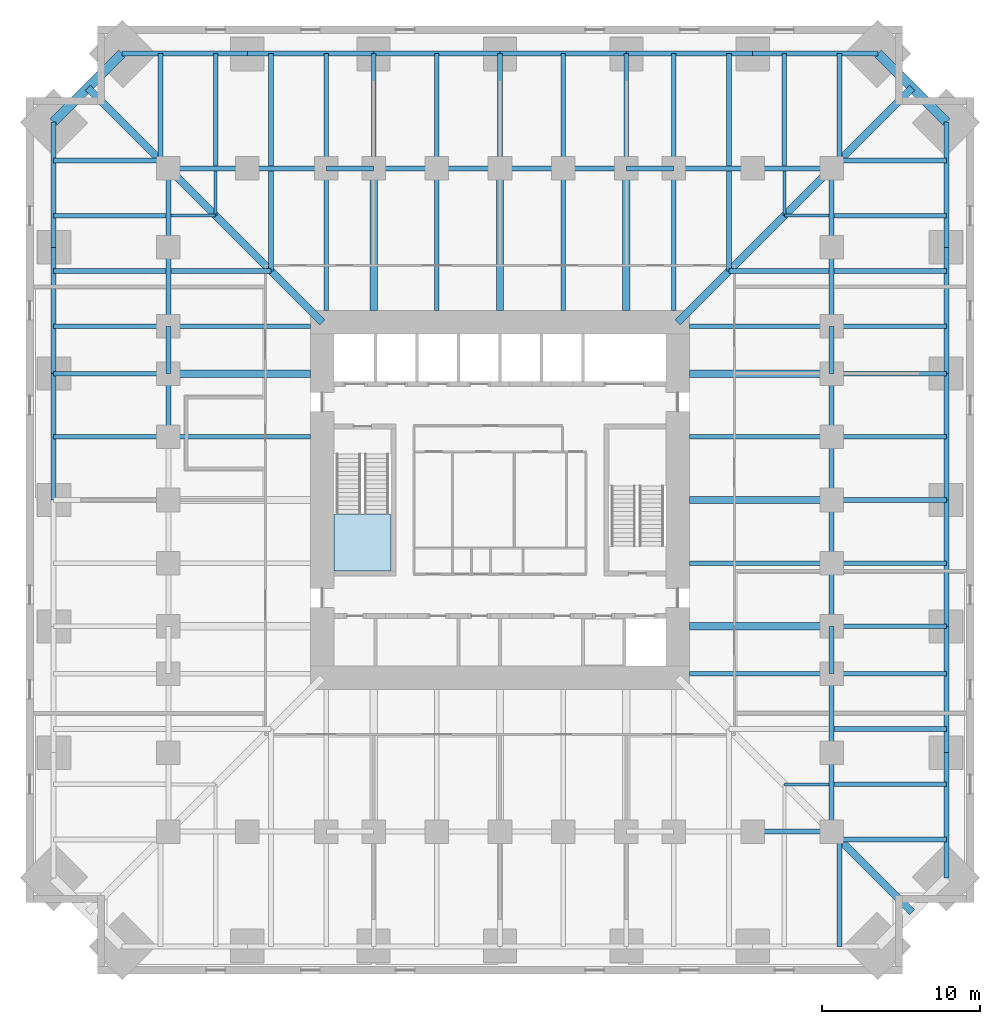
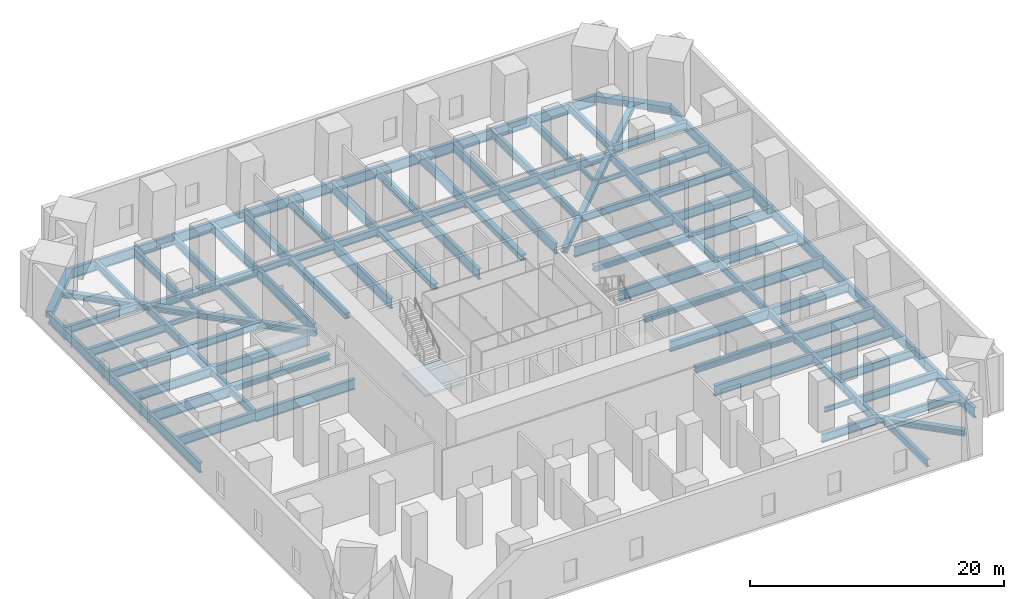
# One storey, part 2 of 8: 106 beams, 1 slab, 1 element without a shape of its own.
"""IFC4 building model written with IfcOpenShell, lengths in metres."""

from ifc_helpers import new_model, si_unit, direction, frame, origin, origin_2d, place, context, subcontext, project, spatial, polyline, hollow_rectangle, i_section, outline, extrude, material, layer, layer_set, material_profile, profile_set, type_object, element, aggregate, save


model = new_model("IFC4")

# Units and contexts
model_context = context("Model", 3, precision=1e-05, world=origin(), true_north=direction((0.0, 1.0)))
body_context = subcontext(model_context, "Body", "Model", "MODEL_VIEW")
ifc_project = project(units=[si_unit("LENGTHUNIT", "METRE"), si_unit("AREAUNIT", "SQUARE_METRE"), si_unit("VOLUMEUNIT", "CUBIC_METRE"), si_unit("PLANEANGLEUNIT", "RADIAN"), si_unit("MASSUNIT", "GRAM", prefix="KILO")], contexts=[model_context])

# Site, building, storey
site_placement = place(None, origin())
site = spatial("IfcSite", under=ifc_project, at=site_placement, CompositionType="ELEMENT")
building_placement = place(site_placement, origin())
building = spatial("IfcBuilding", under=site, at=building_placement, Name="Peilmerk Tower", CompositionType="ELEMENT")
storey_placement = place(building_placement, frame((0.0, 0.0, 65.0)))
storey = spatial("IfcBuildingStorey", under=building, at=storey_placement, Name="L12", CompositionType="ELEMENT", Elevation=65.0)

# Beams
ifc_material_1 = material(Name="Steel S355", Category="steel")
ifc_material_profile_1 = material_profile(ifc_material_1, i_section(OverallWidth=0.300048828125, OverallDepth=1.0, WebThickness=0.01904296875, FlangeThickness=0.035888671875, at=origin_2d()), Name="HEB 1000")
ifc_profile_set_1 = profile_set([ifc_material_profile_1], Name="Steel S355")
beam_type_1 = type_object("IfcBeamType", Name="B13 HEB 1000 edge beam", PredefinedType="SPANDREL", material=ifc_profile_set_1)
beam_1_placement = place(storey_placement, frame((23.92578125, 28.27587890625, -0.699951171875), z_axis=(-1.0, 0.0, 0.0), x_axis=(0.0, -1.0, 0.0)))
element("IfcBeam", 1, at=beam_1_placement, inside=storey, type_object=beam_type_1, Name="Edge beam L12", PredefinedType="SPANDREL", context=body_context, shape_type="SweptSolid", body=[
    extrude(i_section(OverallWidth=0.300048828125, OverallDepth=1.0, WebThickness=0.01904296875, FlangeThickness=0.035888671875, at=origin_2d()), origin(), (0.0, 0.0, 1.0), 7.92578125),
])
for number, where, z_axis, x_axis, name in (
    (2, (16.0, 28.27587890625, -0.699951171875), (-1.0, 0.0, 0.0), (0.0, -1.0, 0.0), "Edge beam L12"),
    (3, (8.0, 28.27587890625, -0.699951171875), (-1.0, 0.0, 0.0), (0.0, -1.0, 0.0), "Edge beam L12"),
    (4, (0.0, 28.27587890625, -0.699951171875), (-1.0, 0.0, 0.0), (0.0, -1.0, 0.0), "Edge beam L12"),
    (5, (-8.0, 28.27587890625, -0.699951171875), (-1.0, 0.0, 0.0), (0.0, -1.0, 0.0), "Edge beam L12"),
):
    element("IfcBeam", number, at=place(storey_placement, frame(where, z_axis=z_axis, x_axis=x_axis)), inside=storey, type_object=beam_type_1, Name=name, PredefinedType="SPANDREL", context=body_context, shape_type="SweptSolid", body=[
        extrude(i_section(OverallWidth=0.300048828125, OverallDepth=1.0, WebThickness=0.01904296875, FlangeThickness=0.035888671875, at=origin_2d()), origin(), (0.0, 0.0, 1.0), 8.0),
    ])
for number, where, z_axis, x_axis, name in (
    (6, (-16.0, 28.27587890625, -0.699951171875), (-1.0, 0.0, 0.0), (0.0, -1.0, 0.0), "Edge beam L12"),
    (7, (28.27587890625, -23.92578125, -0.699951171875), (0.0, 1.0, 0.0), (-1.0, 0.0, 0.0), "Edge beam L12"),
):
    element("IfcBeam", number, at=place(storey_placement, frame(where, z_axis=z_axis, x_axis=x_axis)), inside=storey, type_object=beam_type_1, Name=name, PredefinedType="SPANDREL", context=body_context, shape_type="SweptSolid", body=[
        extrude(i_section(OverallWidth=0.300048828125, OverallDepth=1.0, WebThickness=0.01904296875, FlangeThickness=0.035888671875, at=origin_2d()), origin(), (0.0, 0.0, 1.0), 7.92578125),
    ])
for number, where, z_axis, x_axis, name in (
    (8, (28.27587890625, -16.0, -0.699951171875), (0.0, 1.0, 0.0), (-1.0, 0.0, 0.0), "Edge beam L12"),
    (9, (28.27587890625, -8.0, -0.699951171875), (0.0, 1.0, 0.0), (-1.0, 0.0, 0.0), "Edge beam L12"),
    (10, (28.27587890625, 0.0, -0.699951171875), (0.0, 1.0, 0.0), (-1.0, 0.0, 0.0), "Edge beam L12"),
    (11, (28.27587890625, 8.0, -0.699951171875), (0.0, 1.0, 0.0), (-1.0, 0.0, 0.0), "Edge beam L12"),
):
    element("IfcBeam", number, at=place(storey_placement, frame(where, z_axis=z_axis, x_axis=x_axis)), inside=storey, type_object=beam_type_1, Name=name, PredefinedType="SPANDREL", context=body_context, shape_type="SweptSolid", body=[
        extrude(i_section(OverallWidth=0.300048828125, OverallDepth=1.0, WebThickness=0.01904296875, FlangeThickness=0.035888671875, at=origin_2d()), origin(), (0.0, 0.0, 1.0), 8.0),
    ])
for number, where, z_axis, x_axis, name in (
    (12, (28.27587890625, 16.0, -0.699951171875), (0.0, 1.0, 0.0), (-1.0, 0.0, 0.0), "Edge beam L12"),
    (13, (-28.27587890625, 23.92578125, -0.699951171875), (0.0, -1.0, 0.0), (1.0, 0.0, 0.0), "Edge beam L12"),
):
    element("IfcBeam", number, at=place(storey_placement, frame(where, z_axis=z_axis, x_axis=x_axis)), inside=storey, type_object=beam_type_1, Name=name, PredefinedType="SPANDREL", context=body_context, shape_type="SweptSolid", body=[
        extrude(i_section(OverallWidth=0.300048828125, OverallDepth=1.0, WebThickness=0.01904296875, FlangeThickness=0.035888671875, at=origin_2d()), origin(), (0.0, 0.0, 1.0), 7.92578125),
    ])
for number, where, z_axis, x_axis, name in (
    (14, (-28.27587890625, 16.0, -0.699951171875), (0.0, -1.0, 0.0), (1.0, 0.0, 0.0), "Edge beam L12"),
    (15, (-28.27587890625, 8.0, -0.699951171875), (0.0, -1.0, 0.0), (1.0, 0.0, 0.0), "Edge beam L12"),
):
    element("IfcBeam", number, at=place(storey_placement, frame(where, z_axis=z_axis, x_axis=x_axis)), inside=storey, type_object=beam_type_1, Name=name, PredefinedType="SPANDREL", context=body_context, shape_type="SweptSolid", body=[
        extrude(i_section(OverallWidth=0.300048828125, OverallDepth=1.0, WebThickness=0.01904296875, FlangeThickness=0.035888671875, at=origin_2d()), origin(), (0.0, 0.0, 1.0), 8.0),
    ])
ifc_material_profile_2 = material_profile(ifc_material_1, i_section(OverallWidth=0.300048828125, OverallDepth=0.68994140625, WebThickness=0.014404296875, FlangeThickness=0.027099609375, at=origin_2d()), Name="HEA 700")
ifc_profile_set_2 = profile_set([ifc_material_profile_2], Name="Steel S355")
beam_type_2 = type_object("IfcBeamType", Name="B16 HEA 700 floor beam", PredefinedType="BEAM", material=ifc_profile_set_2)
for number, where, z_axis, x_axis, name in (
    (16, (14.5, 14.5, -0.544921875), (0.0, 1.0, 0.0), (-1.0, 0.0, 0.0), "Floor beam L12"),
    (17, (14.5, 14.5, -0.544921875), (1.0, 0.0, 0.0), (0.0, 1.0, 0.0), "Floor beam L12"),
):
    element("IfcBeam", number, at=place(storey_placement, frame(where, z_axis=z_axis, x_axis=x_axis)), inside=storey, type_object=beam_type_2, Name=name, PredefinedType="BEAM", context=body_context, shape_type="SweptSolid", body=[
        extrude(i_section(OverallWidth=0.300048828125, OverallDepth=0.68994140625, WebThickness=0.014404296875, FlangeThickness=0.027099609375, at=origin_2d()), origin(), (0.0, 0.0, 1.0), 6.348388671875),
    ])
for number, where, z_axis, x_axis, name in (
    (18, (21.5, 21.5, -0.544921875), (0.0, 1.0, 0.0), (-1.0, 0.0, 0.0), "Floor beam L12"),
    (19, (21.5, 21.5, -0.544921875), (1.0, 0.0, 0.0), (0.0, 1.0, 0.0), "Floor beam L12"),
    (20, (21.5, -21.5, -0.544921875), (0.0, -1.0, 0.0), (1.0, 0.0, 0.0), "Floor beam L12"),
    (21, (21.5, -21.5, -0.544921875), (1.0, 0.0, 0.0), (0.0, 1.0, 0.0), "Floor beam L12"),
):
    element("IfcBeam", number, at=place(storey_placement, frame(where, z_axis=z_axis, x_axis=x_axis)), inside=storey, type_object=beam_type_2, Name=name, PredefinedType="BEAM", context=body_context, shape_type="SweptSolid", body=[
        extrude(i_section(OverallWidth=0.300048828125, OverallDepth=0.68994140625, WebThickness=0.014404296875, FlangeThickness=0.027099609375, at=origin_2d()), origin(), (0.0, 0.0, 1.0), 6.77587890625),
    ])
for number, where, z_axis, x_axis, name in (
    (22, (-14.5, 14.5, -0.544921875), (0.0, 1.0, 0.0), (-1.0, 0.0, 0.0), "Floor beam L12"),
    (23, (-14.5, 14.5, -0.544921875), (-1.0, 0.0, 0.0), (0.0, -1.0, 0.0), "Floor beam L12"),
):
    element("IfcBeam", number, at=place(storey_placement, frame(where, z_axis=z_axis, x_axis=x_axis)), inside=storey, type_object=beam_type_2, Name=name, PredefinedType="BEAM", context=body_context, shape_type="SweptSolid", body=[
        extrude(i_section(OverallWidth=0.300048828125, OverallDepth=0.68994140625, WebThickness=0.014404296875, FlangeThickness=0.027099609375, at=origin_2d()), origin(), (0.0, 0.0, 1.0), 6.348388671875),
    ])
for number, where, z_axis, x_axis, name in (
    (24, (-21.5, 21.5, -0.544921875), (0.0, 1.0, 0.0), (-1.0, 0.0, 0.0), "Floor beam L12"),
    (25, (-21.5, 21.5, -0.544921875), (-1.0, 0.0, 0.0), (0.0, -1.0, 0.0), "Floor beam L12"),
):
    element("IfcBeam", number, at=place(storey_placement, frame(where, z_axis=z_axis, x_axis=x_axis)), inside=storey, type_object=beam_type_2, Name=name, PredefinedType="BEAM", context=body_context, shape_type="SweptSolid", body=[
        extrude(i_section(OverallWidth=0.300048828125, OverallDepth=0.68994140625, WebThickness=0.014404296875, FlangeThickness=0.027099609375, at=origin_2d()), origin(), (0.0, 0.0, 1.0), 6.77587890625),
    ])
ifc_material_profile_3 = material_profile(ifc_material_1, i_section(OverallWidth=0.303955078125, OverallDepth=0.716064453125, WebThickness=0.02099609375, FlangeThickness=0.0400390625, at=origin_2d()), Name="HEM 700")
ifc_profile_set_3 = profile_set([ifc_material_profile_3], Name="Steel S355")
beam_type_3 = type_object("IfcBeamType", Name="B19 HEM 700 ring girder", PredefinedType="BEAM", material=ifc_profile_set_3)
for number, where, z_axis, x_axis, name in (
    (26, (8.0, 21.0, -0.55810546875), (-1.0, 0.0, 0.0), (0.0, -1.0, 0.0), "Ring girder L12"),
    (27, (4.0, 21.0, -0.55810546875), (-1.0, 0.0, 0.0), (0.0, -1.0, 0.0), "Ring girder L12"),
    (28, (0.0, 21.0, -0.55810546875), (-1.0, 0.0, 0.0), (0.0, -1.0, 0.0), "Ring girder L12"),
    (29, (-4.0, 21.0, -0.55810546875), (-1.0, 0.0, 0.0), (0.0, -1.0, 0.0), "Ring girder L12"),
    (30, (21.0, -8.0, -0.55810546875), (0.0, 1.0, 0.0), (-1.0, 0.0, 0.0), "Ring girder L12"),
    (31, (21.0, -4.0, -0.55810546875), (0.0, 1.0, 0.0), (-1.0, 0.0, 0.0), "Ring girder L12"),
    (32, (21.0, 0.0, -0.55810546875), (0.0, 1.0, 0.0), (-1.0, 0.0, 0.0), "Ring girder L12"),
    (33, (21.0, 4.0, -0.55810546875), (0.0, 1.0, 0.0), (-1.0, 0.0, 0.0), "Ring girder L12"),
    (34, (-21.0, 8.0, -0.55810546875), (0.0, -1.0, 0.0), (1.0, 0.0, 0.0), "Ring girder L12"),
):
    element("IfcBeam", number, at=place(storey_placement, frame(where, z_axis=z_axis, x_axis=x_axis)), inside=storey, type_object=beam_type_3, Name=name, PredefinedType="BEAM", context=body_context, shape_type="SweptSolid", body=[
        extrude(i_section(OverallWidth=0.303955078125, OverallDepth=0.716064453125, WebThickness=0.02099609375, FlangeThickness=0.0400390625, at=origin_2d()), origin(), (0.0, 0.0, 1.0), 4.0),
    ])
ifc_material_2 = material(Name="Steel S460", Category="steel")
ifc_material_profile_4 = material_profile(ifc_material_2, hollow_rectangle(XDim=0.60009765625, YDim=0.60009765625, WallThickness=0.06005859375, at=origin_2d()), Name="BOX 600x600x60")
ifc_profile_set_4 = profile_set([ifc_material_profile_4], Name="Steel S460")
beam_type_4 = type_object("IfcBeamType", Name="B20 BOX 600x600x60 notch beam", PredefinedType="SPANDREL", material=ifc_profile_set_4)
for number, where, z_axis, x_axis, name in (
    (35, (23.92578125, 28.27587890625, -0.5), (0.707106781187, -0.707106781187, 0.0), (0.707106781187, 0.707106781187, 0.0), "Notch beam L12"),
    (36, (-28.27587890625, 23.92578125, -0.5), (0.707106781187, 0.707106781187, 0.0), (-0.707106781187, 0.707106781187, 0.0), "Notch beam L12"),
):
    element("IfcBeam", number, at=place(storey_placement, frame(where, z_axis=z_axis, x_axis=x_axis)), inside=storey, type_object=beam_type_4, Name=name, PredefinedType="SPANDREL", context=body_context, shape_type="SweptSolid", body=[
        extrude(hollow_rectangle(XDim=0.60009765625, YDim=0.60009765625, WallThickness=0.06005859375, at=origin_2d()), origin(), (0.0, 0.0, 1.0), 6.15185546875),
    ])
ifc_material_profile_5 = material_profile(ifc_material_1, i_section(OverallWidth=0.18994140625, OverallDepth=0.449951171875, WebThickness=0.009521484375, FlangeThickness=0.0146484375, at=origin_2d()), Name="IPE 450")
ifc_profile_set_5 = profile_set([ifc_material_profile_5], Name="Steel S355")
beam_type_5 = type_object("IfcBeamType", Name="B21 IPE 450 floor beam", PredefinedType="BEAM", material=ifc_profile_set_5)
for number, where, z_axis, x_axis, name in (
    (37, (18.0, 18.0, -0.425048828125), (0.0, 1.0, 0.0), (-1.0, 0.0, 0.0), "Floor beam L12"),
    (38, (18.0, 18.0, -0.425048828125), (1.0, 0.0, 0.0), (0.0, 1.0, 0.0), "Floor beam L12"),
    (39, (18.0, -18.0, -0.425048828125), (1.0, 0.0, 0.0), (0.0, 1.0, 0.0), "Floor beam L12"),
    (40, (-18.0, 18.0, -0.425048828125), (0.0, 1.0, 0.0), (-1.0, 0.0, 0.0), "Floor beam L12"),
    (41, (-18.0, 18.0, -0.425048828125), (-1.0, 0.0, 0.0), (0.0, -1.0, 0.0), "Floor beam L12"),
):
    element("IfcBeam", number, at=place(storey_placement, frame(where, z_axis=z_axis, x_axis=x_axis)), inside=storey, type_object=beam_type_5, Name=name, PredefinedType="BEAM", context=body_context, shape_type="SweptSolid", body=[
        extrude(i_section(OverallWidth=0.18994140625, OverallDepth=0.449951171875, WebThickness=0.009521484375, FlangeThickness=0.0146484375, at=origin_2d()), origin(), (0.0, 0.0, 1.0), 2.848388671875),
    ])
ifc_material_profile_6 = material_profile(ifc_material_1, i_section(OverallWidth=0.4541015625, OverallDepth=0.569091796875, WebThickness=0.077880859375, FlangeThickness=0.125, at=origin_2d()), Name="HD 400x1086")
ifc_profile_set_6 = profile_set([ifc_material_profile_6], Name="Steel S355")
beam_type_6 = type_object("IfcBeamType", Name="B22 HD 400x1086 floor girder", PredefinedType="BEAM", material=ifc_profile_set_6)
for number, where, z_axis, x_axis, name in (
    (42, (21.0, 21.0, -0.484619140625), (0.707106781187, 0.707106781187, 0.0), (-0.707106781187, 0.707106781187, 0.0), "Corner girder L12"),
    (43, (21.0, -21.0, -0.484619140625), (0.707106781187, -0.707106781187, 0.0), (0.707106781187, 0.707106781187, 0.0), "Corner girder L12"),
    (44, (-21.0, 21.0, -0.484619140625), (-0.707106781187, 0.707106781187, 0.0), (-0.707106781187, -0.707106781187, 0.0), "Corner girder L12"),
):
    element("IfcBeam", number, at=place(storey_placement, frame(where, z_axis=z_axis, x_axis=x_axis)), inside=storey, type_object=beam_type_6, Name=name, PredefinedType="BEAM", context=body_context, shape_type="SweptSolid", body=[
        extrude(i_section(OverallWidth=0.4541015625, OverallDepth=0.569091796875, WebThickness=0.077880859375, FlangeThickness=0.125, at=origin_2d()), origin(), (0.0, 0.0, 1.0), 7.213623046875),
    ])
ifc_material_profile_7 = material_profile(ifc_material_1, i_section(OverallWidth=0.302978515625, OverallDepth=0.81396484375, WebThickness=0.02099609375, FlangeThickness=0.0400390625, at=origin_2d()), Name="HEM 800")
ifc_profile_set_7 = profile_set([ifc_material_profile_7], Name="Steel S355")
beam_type_7 = type_object("IfcBeamType", Name="B25 HEM 800 ring girder", PredefinedType="BEAM", material=ifc_profile_set_7)
for number, where, z_axis, x_axis, name in (
    (45, (21.0, 21.0, -0.60693359375), (-1.0, 0.0, 0.0), (0.0, -1.0, 0.0), "Ring girder L12"),
    (46, (16.0, 21.0, -0.60693359375), (-1.0, 0.0, 0.0), (0.0, -1.0, 0.0), "Ring girder L12"),
    (47, (-11.0, 21.0, -0.60693359375), (-1.0, 0.0, 0.0), (0.0, -1.0, 0.0), "Ring girder L12"),
    (48, (-16.0, 21.0, -0.60693359375), (-1.0, 0.0, 0.0), (0.0, -1.0, 0.0), "Ring girder L12"),
    (49, (21.0, -21.0, -0.60693359375), (0.0, 1.0, 0.0), (-1.0, 0.0, 0.0), "Ring girder L12"),
    (50, (21.0, -16.0, -0.60693359375), (0.0, 1.0, 0.0), (-1.0, 0.0, 0.0), "Ring girder L12"),
    (51, (21.0, 11.0, -0.60693359375), (0.0, 1.0, 0.0), (-1.0, 0.0, 0.0), "Ring girder L12"),
    (52, (21.0, 16.0, -0.60693359375), (0.0, 1.0, 0.0), (-1.0, 0.0, 0.0), "Ring girder L12"),
    (53, (16.0, -21.0, -0.60693359375), (1.0, 0.0, 0.0), (0.0, 1.0, 0.0), "Ring girder L12"),
    (54, (-21.0, 21.0, -0.60693359375), (0.0, -1.0, 0.0), (1.0, 0.0, 0.0), "Ring girder L12"),
    (55, (-21.0, 16.0, -0.60693359375), (0.0, -1.0, 0.0), (1.0, 0.0, 0.0), "Ring girder L12"),
):
    element("IfcBeam", number, at=place(storey_placement, frame(where, z_axis=z_axis, x_axis=x_axis)), inside=storey, type_object=beam_type_7, Name=name, PredefinedType="BEAM", context=body_context, shape_type="SweptSolid", body=[
        extrude(i_section(OverallWidth=0.302978515625, OverallDepth=0.81396484375, WebThickness=0.02099609375, FlangeThickness=0.0400390625, at=origin_2d()), origin(), (0.0, 0.0, 1.0), 5.0),
    ])
ifc_material_profile_8 = material_profile(ifc_material_1, i_section(OverallWidth=0.300048828125, OverallDepth=0.7900390625, WebThickness=0.014892578125, FlangeThickness=0.028076171875, at=origin_2d()), Name="HEA 800")
ifc_profile_set_8 = profile_set([ifc_material_profile_8], Name="Steel S355")
beam_type_8 = type_object("IfcBeamType", Name="B3 HEA 800 floor beam", PredefinedType="BEAM", material=ifc_profile_set_8)
for number, where, z_axis, x_axis, name in (
    (56, (14.5, 21.151611328125, -0.594970703125), (0.0, 1.0, 0.0), (-1.0, 0.0, 0.0), "Floor beam L12"),
    (57, (21.151611328125, 14.5, -0.594970703125), (1.0, 0.0, 0.0), (0.0, 1.0, 0.0), "Floor beam L12"),
    (58, (18.0, 21.151611328125, -0.594970703125), (0.0, 1.0, 0.0), (-1.0, 0.0, 0.0), "Floor beam L12"),
    (59, (21.151611328125, 18.0, -0.594970703125), (1.0, 0.0, 0.0), (0.0, 1.0, 0.0), "Floor beam L12"),
    (60, (21.151611328125, -14.5, -0.594970703125), (1.0, 0.0, 0.0), (0.0, 1.0, 0.0), "Floor beam L12"),
    (61, (21.151611328125, -18.0, -0.594970703125), (1.0, 0.0, 0.0), (0.0, 1.0, 0.0), "Floor beam L12"),
    (62, (-14.5, 21.151611328125, -0.594970703125), (0.0, 1.0, 0.0), (-1.0, 0.0, 0.0), "Floor beam L12"),
    (63, (-21.151611328125, 14.5, -0.594970703125), (-1.0, 0.0, 0.0), (0.0, -1.0, 0.0), "Floor beam L12"),
    (64, (-18.0, 21.151611328125, -0.594970703125), (0.0, 1.0, 0.0), (-1.0, 0.0, 0.0), "Floor beam L12"),
    (65, (-21.151611328125, 18.0, -0.594970703125), (-1.0, 0.0, 0.0), (0.0, -1.0, 0.0), "Floor beam L12"),
):
    element("IfcBeam", number, at=place(storey_placement, frame(where, z_axis=z_axis, x_axis=x_axis)), inside=storey, type_object=beam_type_8, Name=name, PredefinedType="BEAM", context=body_context, shape_type="SweptSolid", body=[
        extrude(i_section(OverallWidth=0.300048828125, OverallDepth=0.7900390625, WebThickness=0.014892578125, FlangeThickness=0.028076171875, at=origin_2d()), origin(), (0.0, 0.0, 1.0), 7.124267578125),
    ])
ifc_material_profile_9 = material_profile(ifc_material_1, i_section(OverallWidth=0.300048828125, OverallDepth=0.889892578125, WebThickness=0.01611328125, FlangeThickness=0.030029296875, at=origin_2d()), Name="HEA 900")
ifc_profile_set_9 = profile_set([ifc_material_profile_9], Name="Steel S355")
beam_type_9 = type_object("IfcBeamType", Name="B4 HEA 900 floor beam", PredefinedType="BEAM", material=ifc_profile_set_9)
for number, where, z_axis, x_axis, name in (
    (66, (11.0, 21.0, -0.64501953125), (0.0, 1.0, 0.0), (-1.0, 0.0, 0.0), "Floor beam L12"),
    (67, (4.0, 21.0, -0.64501953125), (0.0, 1.0, 0.0), (-1.0, 0.0, 0.0), "Floor beam L12"),
    (68, (-4.0, 21.0, -0.64501953125), (0.0, 1.0, 0.0), (-1.0, 0.0, 0.0), "Floor beam L12"),
    (69, (-11.0, 21.0, -0.64501953125), (0.0, 1.0, 0.0), (-1.0, 0.0, 0.0), "Floor beam L12"),
    (70, (21.0, -11.0, -0.64501953125), (1.0, 0.0, 0.0), (0.0, 1.0, 0.0), "Floor beam L12"),
    (71, (21.0, -4.0, -0.64501953125), (1.0, 0.0, 0.0), (0.0, 1.0, 0.0), "Floor beam L12"),
    (72, (21.0, 4.0, -0.64501953125), (1.0, 0.0, 0.0), (0.0, 1.0, 0.0), "Floor beam L12"),
    (73, (21.0, 11.0, -0.64501953125), (1.0, 0.0, 0.0), (0.0, 1.0, 0.0), "Floor beam L12"),
    (74, (-21.0, 11.0, -0.64501953125), (-1.0, 0.0, 0.0), (0.0, -1.0, 0.0), "Floor beam L12"),
    (75, (-21.0, 4.0, -0.64501953125), (-1.0, 0.0, 0.0), (0.0, -1.0, 0.0), "Floor beam L12"),
):
    element("IfcBeam", number, at=place(storey_placement, frame(where, z_axis=z_axis, x_axis=x_axis)), inside=storey, type_object=beam_type_9, Name=name, PredefinedType="BEAM", context=body_context, shape_type="SweptSolid", body=[
        extrude(i_section(OverallWidth=0.300048828125, OverallDepth=0.889892578125, WebThickness=0.01611328125, FlangeThickness=0.030029296875, at=origin_2d()), origin(), (0.0, 0.0, 1.0), 7.27587890625),
    ])
ifc_material_profile_10 = material_profile(ifc_material_1, i_section(OverallWidth=0.300048828125, OverallDepth=1.0, WebThickness=0.01904296875, FlangeThickness=0.035888671875, at=origin_2d()), Name="HEB 1000")
ifc_profile_set_10 = profile_set([ifc_material_profile_10], Name="Steel S355")
beam_type_10 = type_object("IfcBeamType", Name="B5 HEB 1000 floor girder", PredefinedType="BEAM", material=ifc_profile_set_10)
beam_2_placement = place(storey_placement, frame((11.0, 12.0, -0.699951171875), z_axis=(0.0, 1.0, 0.0), x_axis=(-1.0, 0.0, 0.0)))
element("IfcBeam", 76, at=beam_2_placement, inside=storey, type_object=beam_type_10, Name="Floor beam L12", PredefinedType="BEAM", context=body_context, shape_type="SweptSolid", body=[
    extrude(i_section(OverallWidth=0.300048828125, OverallDepth=1.0, WebThickness=0.01904296875, FlangeThickness=0.035888671875, at=origin_2d()), origin(), (0.0, 0.0, 1.0), 9.0),
])
beam_3_placement = place(storey_placement, frame((8.0, 21.0, -0.699951171875), z_axis=(0.0, 1.0, 0.0), x_axis=(-1.0, 0.0, 0.0)))
element("IfcBeam", 77, at=beam_3_placement, inside=storey, type_object=beam_type_10, Name="Floor girder L12", PredefinedType="BEAM", context=body_context, shape_type="SweptSolid", body=[
    extrude(i_section(OverallWidth=0.300048828125, OverallDepth=1.0, WebThickness=0.01904296875, FlangeThickness=0.035888671875, at=origin_2d()), origin(), (0.0, 0.0, 1.0), 7.27587890625),
])
beam_4_placement = place(storey_placement, frame((4.0, 12.0, -0.699951171875), z_axis=(0.0, 1.0, 0.0), x_axis=(-1.0, 0.0, 0.0)))
element("IfcBeam", 78, at=beam_4_placement, inside=storey, type_object=beam_type_10, Name="Floor beam L12", PredefinedType="BEAM", context=body_context, shape_type="SweptSolid", body=[
    extrude(i_section(OverallWidth=0.300048828125, OverallDepth=1.0, WebThickness=0.01904296875, FlangeThickness=0.035888671875, at=origin_2d()), origin(), (0.0, 0.0, 1.0), 9.0),
])
beam_5_placement = place(storey_placement, frame((0.0, 21.0, -0.699951171875), z_axis=(0.0, 1.0, 0.0), x_axis=(-1.0, 0.0, 0.0)))
element("IfcBeam", 79, at=beam_5_placement, inside=storey, type_object=beam_type_10, Name="Floor girder L12", PredefinedType="BEAM", context=body_context, shape_type="SweptSolid", body=[
    extrude(i_section(OverallWidth=0.300048828125, OverallDepth=1.0, WebThickness=0.01904296875, FlangeThickness=0.035888671875, at=origin_2d()), origin(), (0.0, 0.0, 1.0), 7.27587890625),
])
beam_6_placement = place(storey_placement, frame((-4.0, 12.0, -0.699951171875), z_axis=(0.0, 1.0, 0.0), x_axis=(-1.0, 0.0, 0.0)))
element("IfcBeam", 80, at=beam_6_placement, inside=storey, type_object=beam_type_10, Name="Floor beam L12", PredefinedType="BEAM", context=body_context, shape_type="SweptSolid", body=[
    extrude(i_section(OverallWidth=0.300048828125, OverallDepth=1.0, WebThickness=0.01904296875, FlangeThickness=0.035888671875, at=origin_2d()), origin(), (0.0, 0.0, 1.0), 9.0),
])
beam_7_placement = place(storey_placement, frame((-8.0, 21.0, -0.699951171875), z_axis=(0.0, 1.0, 0.0), x_axis=(-1.0, 0.0, 0.0)))
element("IfcBeam", 81, at=beam_7_placement, inside=storey, type_object=beam_type_10, Name="Floor girder L12", PredefinedType="BEAM", context=body_context, shape_type="SweptSolid", body=[
    extrude(i_section(OverallWidth=0.300048828125, OverallDepth=1.0, WebThickness=0.01904296875, FlangeThickness=0.035888671875, at=origin_2d()), origin(), (0.0, 0.0, 1.0), 7.27587890625),
])
for number, where, z_axis, x_axis, name in (
    (82, (-11.0, 12.0, -0.699951171875), (0.0, 1.0, 0.0), (-1.0, 0.0, 0.0), "Floor beam L12"),
    (83, (12.0, -11.0, -0.699951171875), (1.0, 0.0, 0.0), (0.0, 1.0, 0.0), "Floor beam L12"),
):
    element("IfcBeam", number, at=place(storey_placement, frame(where, z_axis=z_axis, x_axis=x_axis)), inside=storey, type_object=beam_type_10, Name=name, PredefinedType="BEAM", context=body_context, shape_type="SweptSolid", body=[
        extrude(i_section(OverallWidth=0.300048828125, OverallDepth=1.0, WebThickness=0.01904296875, FlangeThickness=0.035888671875, at=origin_2d()), origin(), (0.0, 0.0, 1.0), 9.0),
    ])
beam_8_placement = place(storey_placement, frame((21.0, -8.0, -0.699951171875), z_axis=(1.0, 0.0, 0.0), x_axis=(0.0, 1.0, 0.0)))
element("IfcBeam", 84, at=beam_8_placement, inside=storey, type_object=beam_type_10, Name="Floor girder L12", PredefinedType="BEAM", context=body_context, shape_type="SweptSolid", body=[
    extrude(i_section(OverallWidth=0.300048828125, OverallDepth=1.0, WebThickness=0.01904296875, FlangeThickness=0.035888671875, at=origin_2d()), origin(), (0.0, 0.0, 1.0), 7.27587890625),
])
beam_9_placement = place(storey_placement, frame((12.0, -4.0, -0.699951171875), z_axis=(1.0, 0.0, 0.0), x_axis=(0.0, 1.0, 0.0)))
element("IfcBeam", 85, at=beam_9_placement, inside=storey, type_object=beam_type_10, Name="Floor beam L12", PredefinedType="BEAM", context=body_context, shape_type="SweptSolid", body=[
    extrude(i_section(OverallWidth=0.300048828125, OverallDepth=1.0, WebThickness=0.01904296875, FlangeThickness=0.035888671875, at=origin_2d()), origin(), (0.0, 0.0, 1.0), 9.0),
])
beam_10_placement = place(storey_placement, frame((21.0, 0.0, -0.699951171875), z_axis=(1.0, 0.0, 0.0), x_axis=(0.0, 1.0, 0.0)))
element("IfcBeam", 86, at=beam_10_placement, inside=storey, type_object=beam_type_10, Name="Floor girder L12", PredefinedType="BEAM", context=body_context, shape_type="SweptSolid", body=[
    extrude(i_section(OverallWidth=0.300048828125, OverallDepth=1.0, WebThickness=0.01904296875, FlangeThickness=0.035888671875, at=origin_2d()), origin(), (0.0, 0.0, 1.0), 7.27587890625),
])
beam_11_placement = place(storey_placement, frame((12.0, 4.0, -0.699951171875), z_axis=(1.0, 0.0, 0.0), x_axis=(0.0, 1.0, 0.0)))
element("IfcBeam", 87, at=beam_11_placement, inside=storey, type_object=beam_type_10, Name="Floor beam L12", PredefinedType="BEAM", context=body_context, shape_type="SweptSolid", body=[
    extrude(i_section(OverallWidth=0.300048828125, OverallDepth=1.0, WebThickness=0.01904296875, FlangeThickness=0.035888671875, at=origin_2d()), origin(), (0.0, 0.0, 1.0), 9.0),
])
beam_12_placement = place(storey_placement, frame((21.0, 8.0, -0.699951171875), z_axis=(1.0, 0.0, 0.0), x_axis=(0.0, 1.0, 0.0)))
element("IfcBeam", 88, at=beam_12_placement, inside=storey, type_object=beam_type_10, Name="Floor girder L12", PredefinedType="BEAM", context=body_context, shape_type="SweptSolid", body=[
    extrude(i_section(OverallWidth=0.300048828125, OverallDepth=1.0, WebThickness=0.01904296875, FlangeThickness=0.035888671875, at=origin_2d()), origin(), (0.0, 0.0, 1.0), 7.27587890625),
])
for number, where, z_axis, x_axis, name in (
    (89, (12.0, 11.0, -0.699951171875), (1.0, 0.0, 0.0), (0.0, 1.0, 0.0), "Floor beam L12"),
    (90, (-12.0, 11.0, -0.699951171875), (-1.0, 0.0, 0.0), (0.0, -1.0, 0.0), "Floor beam L12"),
):
    element("IfcBeam", number, at=place(storey_placement, frame(where, z_axis=z_axis, x_axis=x_axis)), inside=storey, type_object=beam_type_10, Name=name, PredefinedType="BEAM", context=body_context, shape_type="SweptSolid", body=[
        extrude(i_section(OverallWidth=0.300048828125, OverallDepth=1.0, WebThickness=0.01904296875, FlangeThickness=0.035888671875, at=origin_2d()), origin(), (0.0, 0.0, 1.0), 9.0),
    ])
beam_13_placement = place(storey_placement, frame((-21.0, 8.0, -0.699951171875), z_axis=(-1.0, 0.0, 0.0), x_axis=(0.0, -1.0, 0.0)))
element("IfcBeam", 91, at=beam_13_placement, inside=storey, type_object=beam_type_10, Name="Floor girder L12", PredefinedType="BEAM", context=body_context, shape_type="SweptSolid", body=[
    extrude(i_section(OverallWidth=0.300048828125, OverallDepth=1.0, WebThickness=0.01904296875, FlangeThickness=0.035888671875, at=origin_2d()), origin(), (0.0, 0.0, 1.0), 7.27587890625),
])
beam_14_placement = place(storey_placement, frame((-12.0, 4.0, -0.699951171875), z_axis=(-1.0, 0.0, 0.0), x_axis=(0.0, -1.0, 0.0)))
element("IfcBeam", 92, at=beam_14_placement, inside=storey, type_object=beam_type_10, Name="Floor beam L12", PredefinedType="BEAM", context=body_context, shape_type="SweptSolid", body=[
    extrude(i_section(OverallWidth=0.300048828125, OverallDepth=1.0, WebThickness=0.01904296875, FlangeThickness=0.035888671875, at=origin_2d()), origin(), (0.0, 0.0, 1.0), 9.0),
])
ifc_material_profile_11 = material_profile(ifc_material_1, i_section(OverallWidth=0.304931640625, OverallDepth=0.6201171875, WebThickness=0.02099609375, FlangeThickness=0.0400390625, at=origin_2d()), Name="HEM 600")
ifc_profile_set_11 = profile_set([ifc_material_profile_11], Name="Steel S355")
beam_type_11 = type_object("IfcBeamType", Name="B6 HEM 600 ring girder", PredefinedType="BEAM", material=ifc_profile_set_11)
for number, where, z_axis, x_axis, name in (
    (93, (11.0, 21.0, -0.510009765625), (-1.0, 0.0, 0.0), (0.0, -1.0, 0.0), "Ring girder L12"),
    (94, (-8.0, 21.0, -0.510009765625), (-1.0, 0.0, 0.0), (0.0, -1.0, 0.0), "Ring girder L12"),
    (95, (21.0, -11.0, -0.510009765625), (0.0, 1.0, 0.0), (-1.0, 0.0, 0.0), "Ring girder L12"),
    (96, (21.0, 8.0, -0.510009765625), (0.0, 1.0, 0.0), (-1.0, 0.0, 0.0), "Ring girder L12"),
    (97, (-21.0, 11.0, -0.510009765625), (0.0, -1.0, 0.0), (1.0, 0.0, 0.0), "Ring girder L12"),
):
    element("IfcBeam", number, at=place(storey_placement, frame(where, z_axis=z_axis, x_axis=x_axis)), inside=storey, type_object=beam_type_11, Name=name, PredefinedType="BEAM", context=body_context, shape_type="SweptSolid", body=[
        extrude(i_section(OverallWidth=0.304931640625, OverallDepth=0.6201171875, WebThickness=0.02099609375, FlangeThickness=0.0400390625, at=origin_2d()), origin(), (0.0, 0.0, 1.0), 3.0),
    ])
ifc_material_profile_12 = material_profile(ifc_material_2, i_section(OverallWidth=0.4541015625, OverallDepth=0.569091796875, WebThickness=0.077880859375, FlangeThickness=0.125, at=origin_2d()), Name="HD 400x1086")
ifc_profile_set_12 = profile_set([ifc_material_profile_12], Name="Steel S460")
beam_type_12 = type_object("IfcBeamType", Name="B9 HD 400x1086 corner girder", PredefinedType="BEAM", material=ifc_profile_set_12)
for number, where, z_axis, x_axis, name in (
    (98, (8.0, 12.0, -0.484619140625), (0.0, 1.0, 0.0), (-1.0, 0.0, 0.0), "Floor girder L12"),
    (99, (0.0, 12.0, -0.484619140625), (0.0, 1.0, 0.0), (-1.0, 0.0, 0.0), "Floor girder L12"),
    (100, (-8.0, 12.0, -0.484619140625), (0.0, 1.0, 0.0), (-1.0, 0.0, 0.0), "Floor girder L12"),
    (101, (12.0, -8.0, -0.484619140625), (1.0, 0.0, 0.0), (0.0, 1.0, 0.0), "Floor girder L12"),
    (102, (12.0, 0.0, -0.484619140625), (1.0, 0.0, 0.0), (0.0, 1.0, 0.0), "Floor girder L12"),
    (103, (12.0, 8.0, -0.484619140625), (1.0, 0.0, 0.0), (0.0, 1.0, 0.0), "Floor girder L12"),
    (104, (-12.0, 8.0, -0.484619140625), (-1.0, 0.0, 0.0), (0.0, -1.0, 0.0), "Floor girder L12"),
):
    element("IfcBeam", number, at=place(storey_placement, frame(where, z_axis=z_axis, x_axis=x_axis)), inside=storey, type_object=beam_type_12, Name=name, PredefinedType="BEAM", context=body_context, shape_type="SweptSolid", body=[
        extrude(i_section(OverallWidth=0.4541015625, OverallDepth=0.569091796875, WebThickness=0.077880859375, FlangeThickness=0.125, at=origin_2d()), origin(), (0.0, 0.0, 1.0), 9.0),
    ])
for number, where, z_axis, x_axis, name in (
    (105, (11.25, 11.25, -0.484619140625), (0.707106781187, 0.707106781187, 0.0), (-0.707106781187, 0.707106781187, 0.0), "Corner girder L12"),
    (106, (-11.25, 11.25, -0.484619140625), (-0.707106781187, 0.707106781187, 0.0), (-0.707106781187, -0.707106781187, 0.0), "Corner girder L12"),
):
    element("IfcBeam", number, at=place(storey_placement, frame(where, z_axis=z_axis, x_axis=x_axis)), inside=storey, type_object=beam_type_12, Name=name, PredefinedType="BEAM", context=body_context, shape_type="SweptSolid", body=[
        extrude(i_section(OverallWidth=0.4541015625, OverallDepth=0.569091796875, WebThickness=0.077880859375, FlangeThickness=0.125, at=origin_2d()), origin(), (0.0, 0.0, 1.0), 13.78857421875),
    ])

# Stair, slab
ifc_material_3 = material(Name="Precast concrete C45/55", Category="concrete")
stair_type = type_object("IfcStairType", Name="ST1 30 risers of 183.3", PredefinedType="HALF_TURN_STAIR", material=ifc_material_3)
stair_placement = place(storey_placement, origin())
stair = element("IfcStair", 107, at=stair_placement, inside=storey, type_object=stair_type, Name="Stair 1 L12 to L13", PredefinedType="HALF_TURN_STAIR")
ifc_material_4 = material(Name="Concrete C35/45", Category="concrete")
ifc_layer = layer(ifc_material_4, 0.199951171875)
ifc_layer_set = layer_set([ifc_layer], Name="Concrete C35/45")
slab_type = type_object("IfcSlabType", Name="SL1 200 concrete stair landing", PredefinedType="LANDING", material=ifc_layer_set)
slab_placement = place(storey_placement, frame((0.0, 0.0, 2.550048828125)))
slab = element("IfcSlab", 108, at=slab_placement, type_object=slab_type, Name="ST1 landing 1", PredefinedType="LANDING", context=body_context, shape_type="SweptSolid", body=[
    extrude(outline(polyline([(-10.5, -4.5), (-6.89990234375, -4.5), (-6.89990234375, -0.8798828125), (-10.5, -0.8798828125), (-10.5, -4.5)])), origin(), (0.0, 0.0, 1.0), 0.199951171875),
])
aggregate(stair, [slab])

save(model, "model.ifc")
